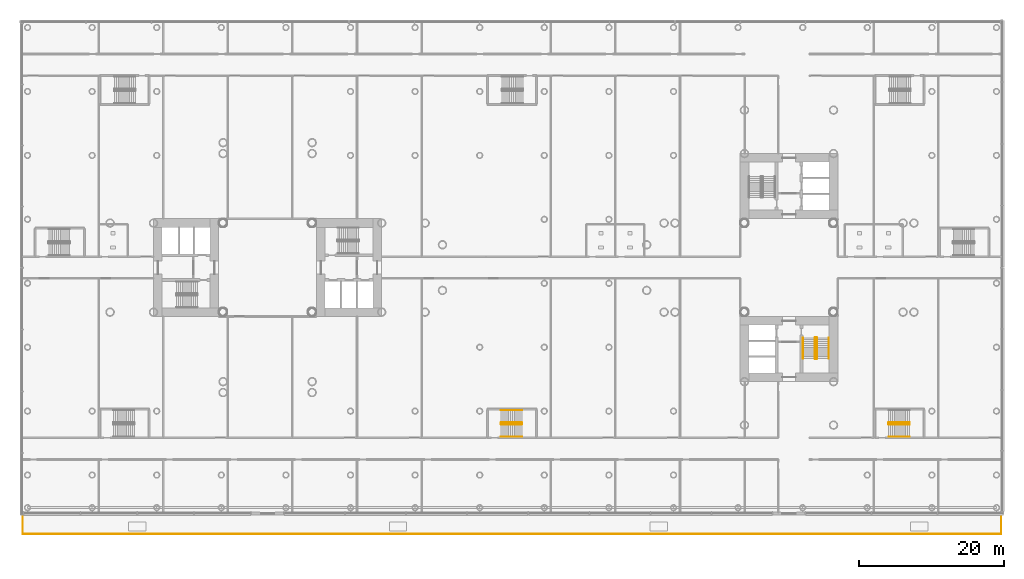
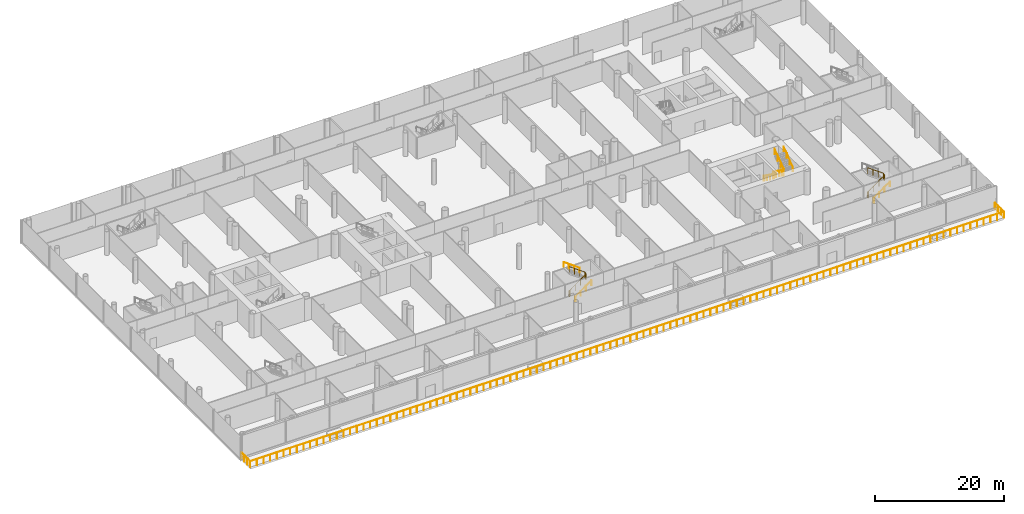
# One storey, part 49 of 51: 9 railings.
"""IFC4 building model written with IfcOpenShell, lengths in metres."""

from ifc_helpers import new_model, si_unit, direction, frame, origin, origin_2d, place, context, subcontext, project, spatial, circle, extrude, material, type_object, element, save


model = new_model("IFC4")

# Units and contexts
model_context = context("Model", 3, precision=1e-05, world=origin(), true_north=direction((0.0, 1.0)))
body_context = subcontext(model_context, "Body", "Model", "MODEL_VIEW")
ifc_project = project(units=[si_unit("LENGTHUNIT", "METRE"), si_unit("AREAUNIT", "SQUARE_METRE"), si_unit("VOLUMEUNIT", "CUBIC_METRE"), si_unit("PLANEANGLEUNIT", "RADIAN"), si_unit("MASSUNIT", "GRAM", prefix="KILO")], contexts=[model_context])

# Site, building, storey
site_placement = place(None, origin())
site = spatial("IfcSite", under=ifc_project, at=site_placement, CompositionType="ELEMENT")
building_placement = place(site_placement, origin())
building = spatial("IfcBuilding", under=site, at=building_placement, Name="Ipe Terrace Towers", CompositionType="ELEMENT")
storey_placement = place(building_placement, frame((0.0, 0.0, 15.5)))
storey = spatial("IfcBuildingStorey", under=building, at=storey_placement, Name="L03", CompositionType="ELEMENT", Elevation=15.5)

# Railings
ifc_material_1 = material(Name="Stainless steel S316", Category="steel")
railing_type_1 = type_object("IfcRailingType", Name="ROOF GUARD 1200", PredefinedType="BALUSTRADE", material=ifc_material_1)
railing_1_placement = place(storey_placement, frame((65.300048828125, -34.070068359375, -0.02001953125)))
element("IfcRailing", 1, at=railing_1_placement, inside=storey, type_object=railing_type_1, Name="roof guard", PredefinedType="BALUSTRADE", context=body_context, shape_type="SweptSolid", body=[
    extrude(circle(Radius=0.02392578125, at=origin_2d()), frame((0.0, 0.0, 1.17578125), z_axis=(0.0, -1.0, 0.0), x_axis=(1.0, 0.0, 0.0)), (0.0, 0.0, 1.0), 2.72998046875),
    extrude(circle(Radius=0.02392578125, at=origin_2d()), frame((0.0, -2.72998046875, 1.17578125), z_axis=(-1.0, 0.0, 0.0), x_axis=(0.0, -1.0, 0.0)), (0.0, 0.0, 1.0), 135.10009765625),
    extrude(circle(Radius=0.02392578125, at=origin_2d()), frame((-135.10009765625, -2.72998046875, 1.17578125), z_axis=(0.0, 1.0, 0.0), x_axis=(-1.0, 0.0, 0.0)), (0.0, 0.0, 1.0), 2.72998046875),
    extrude(circle(Radius=0.02099609375, at=origin_2d()), origin(), (0.0, 0.0, 1.0), 1.15185546875),
    extrude(circle(Radius=0.02099609375, at=origin_2d()), frame((0.0, -0.909912109375, 0.0)), (0.0, 0.0, 1.0), 1.15185546875),
    extrude(circle(Radius=0.02099609375, at=origin_2d()), frame((0.0, -1.820068359375, 0.0)), (0.0, 0.0, 1.0), 1.15185546875),
    extrude(circle(Radius=0.02099609375, at=origin_2d()), frame((0.0, -2.72998046875, 0.0)), (0.0, 0.0, 1.0), 1.15185546875),
    extrude(circle(Radius=0.02099609375, at=origin_2d()), frame((-1.195556640625, -2.72998046875, 0.0)), (0.0, 0.0, 1.0), 1.15185546875),
    extrude(circle(Radius=0.02099609375, at=origin_2d()), frame((-2.39111328125, -2.72998046875, 0.0)), (0.0, 0.0, 1.0), 1.15185546875),
    extrude(circle(Radius=0.02099609375, at=origin_2d()), frame((-3.586669921875, -2.72998046875, 0.0)), (0.0, 0.0, 1.0), 1.15185546875),
    extrude(circle(Radius=0.02099609375, at=origin_2d()), frame((-4.7822265625, -2.72998046875, 0.0)), (0.0, 0.0, 1.0), 1.15185546875),
    extrude(circle(Radius=0.02099609375, at=origin_2d()), frame((-5.977783203125, -2.72998046875, 0.0)), (0.0, 0.0, 1.0), 1.15185546875),
    extrude(circle(Radius=0.02099609375, at=origin_2d()), frame((-7.17333984375, -2.72998046875, 0.0)), (0.0, 0.0, 1.0), 1.15185546875),
    extrude(circle(Radius=0.02099609375, at=origin_2d()), frame((-8.369140625, -2.72998046875, 0.0)), (0.0, 0.0, 1.0), 1.15185546875),
    extrude(circle(Radius=0.02099609375, at=origin_2d()), frame((-9.564697265625, -2.72998046875, 0.0)), (0.0, 0.0, 1.0), 1.15185546875),
    extrude(circle(Radius=0.02099609375, at=origin_2d()), frame((-10.76025390625, -2.72998046875, 0.0)), (0.0, 0.0, 1.0), 1.15185546875),
    extrude(circle(Radius=0.02099609375, at=origin_2d()), frame((-11.955810546875, -2.72998046875, 0.0)), (0.0, 0.0, 1.0), 1.15185546875),
    extrude(circle(Radius=0.02099609375, at=origin_2d()), frame((-13.1513671875, -2.72998046875, 0.0)), (0.0, 0.0, 1.0), 1.15185546875),
    extrude(circle(Radius=0.02099609375, at=origin_2d()), frame((-14.346923828125, -2.72998046875, 0.0)), (0.0, 0.0, 1.0), 1.15185546875),
    extrude(circle(Radius=0.02099609375, at=origin_2d()), frame((-15.54248046875, -2.72998046875, 0.0)), (0.0, 0.0, 1.0), 1.15185546875),
    extrude(circle(Radius=0.02099609375, at=origin_2d()), frame((-16.738037109375, -2.72998046875, 0.0)), (0.0, 0.0, 1.0), 1.15185546875),
    extrude(circle(Radius=0.02099609375, at=origin_2d()), frame((-17.93359375, -2.72998046875, 0.0)), (0.0, 0.0, 1.0), 1.15185546875),
    extrude(circle(Radius=0.02099609375, at=origin_2d()), frame((-19.129150390625, -2.72998046875, 0.0)), (0.0, 0.0, 1.0), 1.15185546875),
    extrude(circle(Radius=0.02099609375, at=origin_2d()), frame((-20.32470703125, -2.72998046875, 0.0)), (0.0, 0.0, 1.0), 1.15185546875),
    extrude(circle(Radius=0.02099609375, at=origin_2d()), frame((-21.520263671875, -2.72998046875, 0.0)), (0.0, 0.0, 1.0), 1.15185546875),
    extrude(circle(Radius=0.02099609375, at=origin_2d()), frame((-22.716064453125, -2.72998046875, 0.0)), (0.0, 0.0, 1.0), 1.15185546875),
    extrude(circle(Radius=0.02099609375, at=origin_2d()), frame((-23.91162109375, -2.72998046875, 0.0)), (0.0, 0.0, 1.0), 1.15185546875),
    extrude(circle(Radius=0.02099609375, at=origin_2d()), frame((-25.107177734375, -2.72998046875, 0.0)), (0.0, 0.0, 1.0), 1.15185546875),
    extrude(circle(Radius=0.02099609375, at=origin_2d()), frame((-26.302734375, -2.72998046875, 0.0)), (0.0, 0.0, 1.0), 1.15185546875),
    extrude(circle(Radius=0.02099609375, at=origin_2d()), frame((-27.498291015625, -2.72998046875, 0.0)), (0.0, 0.0, 1.0), 1.15185546875),
    extrude(circle(Radius=0.02099609375, at=origin_2d()), frame((-28.69384765625, -2.72998046875, 0.0)), (0.0, 0.0, 1.0), 1.15185546875),
    extrude(circle(Radius=0.02099609375, at=origin_2d()), frame((-29.889404296875, -2.72998046875, 0.0)), (0.0, 0.0, 1.0), 1.15185546875),
    extrude(circle(Radius=0.02099609375, at=origin_2d()), frame((-31.0849609375, -2.72998046875, 0.0)), (0.0, 0.0, 1.0), 1.15185546875),
    extrude(circle(Radius=0.02099609375, at=origin_2d()), frame((-32.280517578125, -2.72998046875, 0.0)), (0.0, 0.0, 1.0), 1.15185546875),
    extrude(circle(Radius=0.02099609375, at=origin_2d()), frame((-33.47607421875, -2.72998046875, 0.0)), (0.0, 0.0, 1.0), 1.15185546875),
    extrude(circle(Radius=0.02099609375, at=origin_2d()), frame((-34.671630859375, -2.72998046875, 0.0)), (0.0, 0.0, 1.0), 1.15185546875),
    extrude(circle(Radius=0.02099609375, at=origin_2d()), frame((-35.8671875, -2.72998046875, 0.0)), (0.0, 0.0, 1.0), 1.15185546875),
    extrude(circle(Radius=0.02099609375, at=origin_2d()), frame((-37.062744140625, -2.72998046875, 0.0)), (0.0, 0.0, 1.0), 1.15185546875),
    extrude(circle(Radius=0.02099609375, at=origin_2d()), frame((-38.258544921875, -2.72998046875, 0.0)), (0.0, 0.0, 1.0), 1.15185546875),
    extrude(circle(Radius=0.02099609375, at=origin_2d()), frame((-39.4541015625, -2.72998046875, 0.0)), (0.0, 0.0, 1.0), 1.15185546875),
    extrude(circle(Radius=0.02099609375, at=origin_2d()), frame((-40.649658203125, -2.72998046875, 0.0)), (0.0, 0.0, 1.0), 1.15185546875),
    extrude(circle(Radius=0.02099609375, at=origin_2d()), frame((-41.84521484375, -2.72998046875, 0.0)), (0.0, 0.0, 1.0), 1.15185546875),
    extrude(circle(Radius=0.02099609375, at=origin_2d()), frame((-43.040771484375, -2.72998046875, 0.0)), (0.0, 0.0, 1.0), 1.15185546875),
    extrude(circle(Radius=0.02099609375, at=origin_2d()), frame((-44.236328125, -2.72998046875, 0.0)), (0.0, 0.0, 1.0), 1.15185546875),
    extrude(circle(Radius=0.02099609375, at=origin_2d()), frame((-45.431884765625, -2.72998046875, 0.0)), (0.0, 0.0, 1.0), 1.15185546875),
    extrude(circle(Radius=0.02099609375, at=origin_2d()), frame((-46.62744140625, -2.72998046875, 0.0)), (0.0, 0.0, 1.0), 1.15185546875),
    extrude(circle(Radius=0.02099609375, at=origin_2d()), frame((-47.822998046875, -2.72998046875, 0.0)), (0.0, 0.0, 1.0), 1.15185546875),
    extrude(circle(Radius=0.02099609375, at=origin_2d()), frame((-49.0185546875, -2.72998046875, 0.0)), (0.0, 0.0, 1.0), 1.15185546875),
    extrude(circle(Radius=0.02099609375, at=origin_2d()), frame((-50.214111328125, -2.72998046875, 0.0)), (0.0, 0.0, 1.0), 1.15185546875),
    extrude(circle(Radius=0.02099609375, at=origin_2d()), frame((-51.40966796875, -2.72998046875, 0.0)), (0.0, 0.0, 1.0), 1.15185546875),
    extrude(circle(Radius=0.02099609375, at=origin_2d()), frame((-52.60546875, -2.72998046875, 0.0)), (0.0, 0.0, 1.0), 1.15185546875),
    extrude(circle(Radius=0.02099609375, at=origin_2d()), frame((-53.801025390625, -2.72998046875, 0.0)), (0.0, 0.0, 1.0), 1.15185546875),
    extrude(circle(Radius=0.02099609375, at=origin_2d()), frame((-54.99658203125, -2.72998046875, 0.0)), (0.0, 0.0, 1.0), 1.15185546875),
    extrude(circle(Radius=0.02099609375, at=origin_2d()), frame((-56.192138671875, -2.72998046875, 0.0)), (0.0, 0.0, 1.0), 1.15185546875),
    extrude(circle(Radius=0.02099609375, at=origin_2d()), frame((-57.3876953125, -2.72998046875, 0.0)), (0.0, 0.0, 1.0), 1.15185546875),
    extrude(circle(Radius=0.02099609375, at=origin_2d()), frame((-58.583251953125, -2.72998046875, 0.0)), (0.0, 0.0, 1.0), 1.15185546875),
    extrude(circle(Radius=0.02099609375, at=origin_2d()), frame((-59.77880859375, -2.72998046875, 0.0)), (0.0, 0.0, 1.0), 1.15185546875),
    extrude(circle(Radius=0.02099609375, at=origin_2d()), frame((-60.974365234375, -2.72998046875, 0.0)), (0.0, 0.0, 1.0), 1.15185546875),
    extrude(circle(Radius=0.02099609375, at=origin_2d()), frame((-62.169921875, -2.72998046875, 0.0)), (0.0, 0.0, 1.0), 1.15185546875),
    extrude(circle(Radius=0.02099609375, at=origin_2d()), frame((-63.365478515625, -2.72998046875, 0.0)), (0.0, 0.0, 1.0), 1.15185546875),
    extrude(circle(Radius=0.02099609375, at=origin_2d()), frame((-64.56103515625, -2.72998046875, 0.0)), (0.0, 0.0, 1.0), 1.15185546875),
    extrude(circle(Radius=0.02099609375, at=origin_2d()), frame((-65.756591796875, -2.72998046875, 0.0)), (0.0, 0.0, 1.0), 1.15185546875),
    extrude(circle(Radius=0.02099609375, at=origin_2d()), frame((-66.9521484375, -2.72998046875, 0.0)), (0.0, 0.0, 1.0), 1.15185546875),
    extrude(circle(Radius=0.02099609375, at=origin_2d()), frame((-68.14794921875, -2.72998046875, 0.0)), (0.0, 0.0, 1.0), 1.15185546875),
    extrude(circle(Radius=0.02099609375, at=origin_2d()), frame((-69.343505859375, -2.72998046875, 0.0)), (0.0, 0.0, 1.0), 1.15185546875),
    extrude(circle(Radius=0.02099609375, at=origin_2d()), frame((-70.5390625, -2.72998046875, 0.0)), (0.0, 0.0, 1.0), 1.15185546875),
    extrude(circle(Radius=0.02099609375, at=origin_2d()), frame((-71.734619140625, -2.72998046875, 0.0)), (0.0, 0.0, 1.0), 1.15185546875),
    extrude(circle(Radius=0.02099609375, at=origin_2d()), frame((-72.93017578125, -2.72998046875, 0.0)), (0.0, 0.0, 1.0), 1.15185546875),
    extrude(circle(Radius=0.02099609375, at=origin_2d()), frame((-74.125732421875, -2.72998046875, 0.0)), (0.0, 0.0, 1.0), 1.15185546875),
    extrude(circle(Radius=0.02099609375, at=origin_2d()), frame((-75.3212890625, -2.72998046875, 0.0)), (0.0, 0.0, 1.0), 1.15185546875),
    extrude(circle(Radius=0.02099609375, at=origin_2d()), frame((-76.516845703125, -2.72998046875, 0.0)), (0.0, 0.0, 1.0), 1.15185546875),
    extrude(circle(Radius=0.02099609375, at=origin_2d()), frame((-77.71240234375, -2.72998046875, 0.0)), (0.0, 0.0, 1.0), 1.15185546875),
    extrude(circle(Radius=0.02099609375, at=origin_2d()), frame((-78.907958984375, -2.72998046875, 0.0)), (0.0, 0.0, 1.0), 1.15185546875),
    extrude(circle(Radius=0.02099609375, at=origin_2d()), frame((-80.103515625, -2.72998046875, 0.0)), (0.0, 0.0, 1.0), 1.15185546875),
    extrude(circle(Radius=0.02099609375, at=origin_2d()), frame((-81.299072265625, -2.72998046875, 0.0)), (0.0, 0.0, 1.0), 1.15185546875),
    extrude(circle(Radius=0.02099609375, at=origin_2d()), frame((-82.49462890625, -2.72998046875, 0.0)), (0.0, 0.0, 1.0), 1.15185546875),
    extrude(circle(Radius=0.02099609375, at=origin_2d()), frame((-83.6904296875, -2.72998046875, 0.0)), (0.0, 0.0, 1.0), 1.15185546875),
    extrude(circle(Radius=0.02099609375, at=origin_2d()), frame((-84.885986328125, -2.72998046875, 0.0)), (0.0, 0.0, 1.0), 1.15185546875),
    extrude(circle(Radius=0.02099609375, at=origin_2d()), frame((-86.08154296875, -2.72998046875, 0.0)), (0.0, 0.0, 1.0), 1.15185546875),
    extrude(circle(Radius=0.02099609375, at=origin_2d()), frame((-87.277099609375, -2.72998046875, 0.0)), (0.0, 0.0, 1.0), 1.15185546875),
    extrude(circle(Radius=0.02099609375, at=origin_2d()), frame((-88.47265625, -2.72998046875, 0.0)), (0.0, 0.0, 1.0), 1.15185546875),
    extrude(circle(Radius=0.02099609375, at=origin_2d()), frame((-89.668212890625, -2.72998046875, 0.0)), (0.0, 0.0, 1.0), 1.15185546875),
    extrude(circle(Radius=0.02099609375, at=origin_2d()), frame((-90.86376953125, -2.72998046875, 0.0)), (0.0, 0.0, 1.0), 1.15185546875),
    extrude(circle(Radius=0.02099609375, at=origin_2d()), frame((-92.059326171875, -2.72998046875, 0.0)), (0.0, 0.0, 1.0), 1.15185546875),
    extrude(circle(Radius=0.02099609375, at=origin_2d()), frame((-93.2548828125, -2.72998046875, 0.0)), (0.0, 0.0, 1.0), 1.15185546875),
    extrude(circle(Radius=0.02099609375, at=origin_2d()), frame((-94.450439453125, -2.72998046875, 0.0)), (0.0, 0.0, 1.0), 1.15185546875),
    extrude(circle(Radius=0.02099609375, at=origin_2d()), frame((-95.64599609375, -2.72998046875, 0.0)), (0.0, 0.0, 1.0), 1.15185546875),
    extrude(circle(Radius=0.02099609375, at=origin_2d()), frame((-96.841552734375, -2.72998046875, 0.0)), (0.0, 0.0, 1.0), 1.15185546875),
    extrude(circle(Radius=0.02099609375, at=origin_2d()), frame((-98.037353515625, -2.72998046875, 0.0)), (0.0, 0.0, 1.0), 1.15185546875),
    extrude(circle(Radius=0.02099609375, at=origin_2d()), frame((-99.23291015625, -2.72998046875, 0.0)), (0.0, 0.0, 1.0), 1.15185546875),
    extrude(circle(Radius=0.02099609375, at=origin_2d()), frame((-100.428466796875, -2.72998046875, 0.0)), (0.0, 0.0, 1.0), 1.15185546875),
    extrude(circle(Radius=0.02099609375, at=origin_2d()), frame((-101.6240234375, -2.72998046875, 0.0)), (0.0, 0.0, 1.0), 1.15185546875),
    extrude(circle(Radius=0.02099609375, at=origin_2d()), frame((-102.819580078125, -2.72998046875, 0.0)), (0.0, 0.0, 1.0), 1.15185546875),
    extrude(circle(Radius=0.02099609375, at=origin_2d()), frame((-104.01513671875, -2.72998046875, 0.0)), (0.0, 0.0, 1.0), 1.15185546875),
    extrude(circle(Radius=0.02099609375, at=origin_2d()), frame((-105.210693359375, -2.72998046875, 0.0)), (0.0, 0.0, 1.0), 1.15185546875),
    extrude(circle(Radius=0.02099609375, at=origin_2d()), frame((-106.40625, -2.72998046875, 0.0)), (0.0, 0.0, 1.0), 1.15185546875),
    extrude(circle(Radius=0.02099609375, at=origin_2d()), frame((-107.601806640625, -2.72998046875, 0.0)), (0.0, 0.0, 1.0), 1.15185546875),
    extrude(circle(Radius=0.02099609375, at=origin_2d()), frame((-108.79736328125, -2.72998046875, 0.0)), (0.0, 0.0, 1.0), 1.15185546875),
    extrude(circle(Radius=0.02099609375, at=origin_2d()), frame((-109.992919921875, -2.72998046875, 0.0)), (0.0, 0.0, 1.0), 1.15185546875),
    extrude(circle(Radius=0.02099609375, at=origin_2d()), frame((-111.1884765625, -2.72998046875, 0.0)), (0.0, 0.0, 1.0), 1.15185546875),
    extrude(circle(Radius=0.02099609375, at=origin_2d()), frame((-112.384033203125, -2.72998046875, 0.0)), (0.0, 0.0, 1.0), 1.15185546875),
    extrude(circle(Radius=0.02099609375, at=origin_2d()), frame((-113.579833984375, -2.72998046875, 0.0)), (0.0, 0.0, 1.0), 1.15185546875),
    extrude(circle(Radius=0.02099609375, at=origin_2d()), frame((-114.775390625, -2.72998046875, 0.0)), (0.0, 0.0, 1.0), 1.15185546875),
    extrude(circle(Radius=0.02099609375, at=origin_2d()), frame((-115.970947265625, -2.72998046875, 0.0)), (0.0, 0.0, 1.0), 1.15185546875),
    extrude(circle(Radius=0.02099609375, at=origin_2d()), frame((-117.16650390625, -2.72998046875, 0.0)), (0.0, 0.0, 1.0), 1.15185546875),
    extrude(circle(Radius=0.02099609375, at=origin_2d()), frame((-118.362060546875, -2.72998046875, 0.0)), (0.0, 0.0, 1.0), 1.15185546875),
    extrude(circle(Radius=0.02099609375, at=origin_2d()), frame((-119.5576171875, -2.72998046875, 0.0)), (0.0, 0.0, 1.0), 1.15185546875),
    extrude(circle(Radius=0.02099609375, at=origin_2d()), frame((-120.753173828125, -2.72998046875, 0.0)), (0.0, 0.0, 1.0), 1.15185546875),
    extrude(circle(Radius=0.02099609375, at=origin_2d()), frame((-121.94873046875, -2.72998046875, 0.0)), (0.0, 0.0, 1.0), 1.15185546875),
    extrude(circle(Radius=0.02099609375, at=origin_2d()), frame((-123.144287109375, -2.72998046875, 0.0)), (0.0, 0.0, 1.0), 1.15185546875),
    extrude(circle(Radius=0.02099609375, at=origin_2d()), frame((-124.33984375, -2.72998046875, 0.0)), (0.0, 0.0, 1.0), 1.15185546875),
    extrude(circle(Radius=0.02099609375, at=origin_2d()), frame((-125.535400390625, -2.72998046875, 0.0)), (0.0, 0.0, 1.0), 1.15185546875),
    extrude(circle(Radius=0.02099609375, at=origin_2d()), frame((-126.73095703125, -2.72998046875, 0.0)), (0.0, 0.0, 1.0), 1.15185546875),
    extrude(circle(Radius=0.02099609375, at=origin_2d()), frame((-127.9267578125, -2.72998046875, 0.0)), (0.0, 0.0, 1.0), 1.15185546875),
    extrude(circle(Radius=0.02099609375, at=origin_2d()), frame((-129.122314453125, -2.72998046875, 0.0)), (0.0, 0.0, 1.0), 1.15185546875),
    extrude(circle(Radius=0.02099609375, at=origin_2d()), frame((-130.31787109375, -2.72998046875, 0.0)), (0.0, 0.0, 1.0), 1.15185546875),
    extrude(circle(Radius=0.02099609375, at=origin_2d()), frame((-131.513427734375, -2.72998046875, 0.0)), (0.0, 0.0, 1.0), 1.15185546875),
    extrude(circle(Radius=0.02099609375, at=origin_2d()), frame((-132.708984375, -2.72998046875, 0.0)), (0.0, 0.0, 1.0), 1.15185546875),
    extrude(circle(Radius=0.02099609375, at=origin_2d()), frame((-133.904541015625, -2.72998046875, 0.0)), (0.0, 0.0, 1.0), 1.15185546875),
    extrude(circle(Radius=0.02099609375, at=origin_2d()), frame((-135.10009765625, -2.72998046875, 0.0)), (0.0, 0.0, 1.0), 1.15185546875),
    extrude(circle(Radius=0.02099609375, at=origin_2d()), frame((-135.10009765625, -1.820068359375, 0.0)), (0.0, 0.0, 1.0), 1.15185546875),
    extrude(circle(Radius=0.02099609375, at=origin_2d()), frame((-135.10009765625, -0.909912109375, 0.0)), (0.0, 0.0, 1.0), 1.15185546875),
    extrude(circle(Radius=0.02099609375, at=origin_2d()), frame((-135.10009765625, 0.0, 0.0)), (0.0, 0.0, 1.0), 1.15185546875),
])
ifc_material_2 = material(Name="Steel S355", Category="steel")
railing_type_2 = type_object("IfcRailingType", Name="Stair guard 1100", PredefinedType="GUARDRAIL", material=ifc_material_2)
railing_2_placement = place(storey_placement, frame((39.800048828125, -9.64990234375, 0.0)))
element("IfcRailing", 2, at=railing_2_placement, inside=storey, type_object=railing_type_2, Name="L03 T2-ST2 stair guard 1", PredefinedType="GUARDRAIL", context=body_context, shape_type="SweptSolid", body=[
    extrude(circle(Radius=0.02392578125, at=origin_2d()), frame((0.0, 0.0, 1.076171875), z_axis=(-1.0, 0.0, 0.0), x_axis=(0.0, -1.0, 0.0)), (0.0, 0.0, 1.0), 0.150146484375),
    extrude(circle(Radius=0.02392578125, at=origin_2d()), frame((-0.150146484375, 0.0, 1.076171875), z_axis=(-0.248583702486, -0.249802250048, 0.935844527007), x_axis=(0.708833529934, -0.705375805398, 0.0)), (0.0, 0.0, 1.0), 0.200439453125),
    extrude(circle(Radius=0.02392578125, at=origin_2d()), frame((-0.199951171875, -0.050048828125, 1.263671875), z_axis=(0.0, -0.811100754333, 0.584906459462), x_axis=(1.0, 0.0, 0.0)), (0.0, 0.0, 1.0), 3.526123046875),
    extrude(circle(Radius=0.02392578125, at=origin_2d()), frame((-0.199951171875, -2.91015625, 3.326171875), z_axis=(0.705375805398, -0.708833529934, 0.0), x_axis=(0.708833529934, 0.705375805398, 0.0)), (0.0, 0.0, 1.0), 0.070556640625),
    extrude(circle(Radius=0.02392578125, at=origin_2d()), frame((-0.150146484375, -2.960205078125, 3.326171875), z_axis=(1.0, 0.0, 0.0), x_axis=(0.0, 1.0, 0.0)), (0.0, 0.0, 1.0), 0.150146484375),
    extrude(circle(Radius=0.02392578125, at=origin_2d()), frame((0.0, -2.960205078125, 3.326171875), z_axis=(0.249726431254, 0.249726431254, 0.935560483917), x_axis=(-0.707106781187, 0.707106781187, 0.0)), (0.0, 0.0, 1.0), 0.200439453125),
    extrude(circle(Radius=0.02392578125, at=origin_2d()), frame((0.050048828125, -2.91015625, 3.513671875), z_axis=(0.0, 0.811100754333, 0.584906459462), x_axis=(-1.0, 0.0, 0.0)), (0.0, 0.0, 1.0), 3.526123046875),
    extrude(circle(Radius=0.02099609375, at=origin_2d()), origin(), (0.0, 0.0, 1.0), 1.052001953125),
    extrude(circle(Radius=0.02099609375, at=origin_2d()), frame((-0.150146484375, 0.0, 0.0)), (0.0, 0.0, 1.0), 1.052001953125),
    extrude(circle(Radius=0.02099609375, at=origin_2d()), frame((-0.199951171875, -0.050048828125, 0.1875)), (0.0, 0.0, 1.0), 1.052001953125),
    extrude(circle(Radius=0.02099609375, at=origin_2d()), frame((-0.199951171875, -1.00341796875, 0.875)), (0.0, 0.0, 1.0), 1.052001953125),
    extrude(circle(Radius=0.02099609375, at=origin_2d()), frame((-0.199951171875, -1.956787109375, 1.5625)), (0.0, 0.0, 1.0), 1.052001953125),
    extrude(circle(Radius=0.02099609375, at=origin_2d()), frame((-0.199951171875, -2.91015625, 2.25)), (0.0, 0.0, 1.0), 1.052001953125),
    extrude(circle(Radius=0.02099609375, at=origin_2d()), frame((-0.150146484375, -2.960205078125, 2.25)), (0.0, 0.0, 1.0), 1.052001953125),
    extrude(circle(Radius=0.02099609375, at=origin_2d()), frame((0.0, -2.960205078125, 2.25)), (0.0, 0.0, 1.0), 1.052001953125),
    extrude(circle(Radius=0.02099609375, at=origin_2d()), frame((0.050048828125, -2.91015625, 2.4375)), (0.0, 0.0, 1.0), 1.052001953125),
    extrude(circle(Radius=0.02099609375, at=origin_2d()), frame((0.050048828125, -1.956787109375, 3.125)), (0.0, 0.0, 1.0), 1.052001953125),
    extrude(circle(Radius=0.02099609375, at=origin_2d()), frame((0.050048828125, -1.00341796875, 3.8125)), (0.0, 0.0, 1.0), 1.052001953125),
    extrude(circle(Radius=0.02099609375, at=origin_2d()), frame((0.050048828125, -0.050048828125, 4.5)), (0.0, 0.0, 1.0), 1.052001953125),
])
railing_3_placement = place(storey_placement, frame((-3.800048828125, -21.449951171875, 0.0)))
element("IfcRailing", 3, at=railing_3_placement, inside=storey, type_object=railing_type_2, Name="L03 PS5 stair guard 1", PredefinedType="GUARDRAIL", context=body_context, shape_type="SweptSolid", body=[
    extrude(circle(Radius=0.02392578125, at=origin_2d()), frame((0.0, 0.0, 1.076171875), z_axis=(0.0, -1.0, 0.0), x_axis=(1.0, 0.0, 0.0)), (0.0, 0.0, 1.0), 0.150146484375),
    extrude(circle(Radius=0.02392578125, at=origin_2d()), frame((0.0, -0.150146484375, 1.076171875), z_axis=(0.249802250048, -0.248583702486, 0.935844527007), x_axis=(0.705375805398, 0.708833529934, 0.0)), (0.0, 0.0, 1.0), 0.200439453125),
    extrude(circle(Radius=0.02392578125, at=origin_2d()), frame((0.050048828125, -0.199951171875, 1.263671875), z_axis=(0.811100754333, 0.0, 0.584906459462), x_axis=(0.0, 1.0, 0.0)), (0.0, 0.0, 1.0), 3.526123046875),
    extrude(circle(Radius=0.02392578125, at=origin_2d()), frame((2.91015625, -0.199951171875, 3.326171875), z_axis=(0.707106781187, 0.707106781187, 0.0), x_axis=(-0.707106781187, 0.707106781187, 0.0)), (0.0, 0.0, 1.0), 0.0703125),
    extrude(circle(Radius=0.02392578125, at=origin_2d()), frame((2.9599609375, -0.150146484375, 3.326171875), z_axis=(0.0, 1.0, 0.0), x_axis=(-1.0, 0.0, 0.0)), (0.0, 0.0, 1.0), 0.150146484375),
    extrude(circle(Radius=0.02392578125, at=origin_2d()), frame((2.9599609375, 0.0, 3.326171875), z_axis=(-0.248583702486, 0.249802250048, 0.935844527007), x_axis=(-0.708833529934, -0.705375805398, 0.0)), (0.0, 0.0, 1.0), 0.200439453125),
    extrude(circle(Radius=0.02392578125, at=origin_2d()), frame((2.91015625, 0.050048828125, 3.513671875), z_axis=(-0.811100754333, 0.0, 0.584906459462), x_axis=(0.0, -1.0, 0.0)), (0.0, 0.0, 1.0), 3.526123046875),
    extrude(circle(Radius=0.02099609375, at=origin_2d()), origin(), (0.0, 0.0, 1.0), 1.052001953125),
    extrude(circle(Radius=0.02099609375, at=origin_2d()), frame((0.0, -0.150146484375, 0.0)), (0.0, 0.0, 1.0), 1.052001953125),
    extrude(circle(Radius=0.02099609375, at=origin_2d()), frame((0.050048828125, -0.199951171875, 0.1875)), (0.0, 0.0, 1.0), 1.052001953125),
    extrude(circle(Radius=0.02099609375, at=origin_2d()), frame((1.00341796875, -0.199951171875, 0.875)), (0.0, 0.0, 1.0), 1.052001953125),
    extrude(circle(Radius=0.02099609375, at=origin_2d()), frame((1.956787109375, -0.199951171875, 1.5625)), (0.0, 0.0, 1.0), 1.052001953125),
    extrude(circle(Radius=0.02099609375, at=origin_2d()), frame((2.91015625, -0.199951171875, 2.25)), (0.0, 0.0, 1.0), 1.052001953125),
    extrude(circle(Radius=0.02099609375, at=origin_2d()), frame((2.9599609375, -0.150146484375, 2.25)), (0.0, 0.0, 1.0), 1.052001953125),
    extrude(circle(Radius=0.02099609375, at=origin_2d()), frame((2.9599609375, 0.0, 2.25)), (0.0, 0.0, 1.0), 1.052001953125),
    extrude(circle(Radius=0.02099609375, at=origin_2d()), frame((2.91015625, 0.050048828125, 2.4375)), (0.0, 0.0, 1.0), 1.052001953125),
    extrude(circle(Radius=0.02099609375, at=origin_2d()), frame((1.956787109375, 0.050048828125, 3.125)), (0.0, 0.0, 1.0), 1.052001953125),
    extrude(circle(Radius=0.02099609375, at=origin_2d()), frame((1.00341796875, 0.050048828125, 3.8125)), (0.0, 0.0, 1.0), 1.052001953125),
    extrude(circle(Radius=0.02099609375, at=origin_2d()), frame((0.050048828125, 0.050048828125, 4.5)), (0.0, 0.0, 1.0), 1.052001953125),
])
railing_4_placement = place(storey_placement, frame((49.719970703125, -21.449951171875, 0.0)))
element("IfcRailing", 4, at=railing_4_placement, inside=storey, type_object=railing_type_2, Name="L03 PS6 stair guard 1", PredefinedType="GUARDRAIL", context=body_context, shape_type="SweptSolid", body=[
    extrude(circle(Radius=0.02392578125, at=origin_2d()), frame((0.0, 0.0, 1.076171875), z_axis=(0.0, -1.0, 0.0), x_axis=(1.0, 0.0, 0.0)), (0.0, 0.0, 1.0), 0.150146484375),
    extrude(circle(Radius=0.02392578125, at=origin_2d()), frame((0.0, -0.150146484375, 1.076171875), z_axis=(0.249802250048, -0.248583702486, 0.935844527007), x_axis=(0.705375805398, 0.708833529934, 0.0)), (0.0, 0.0, 1.0), 0.200439453125),
    extrude(circle(Radius=0.02392578125, at=origin_2d()), frame((0.050048828125, -0.199951171875, 1.263671875), z_axis=(0.811077065594, 0.0, 0.584939307678), x_axis=(0.0, 1.0, 0.0)), (0.0, 0.0, 1.0), 3.526123046875),
    extrude(circle(Radius=0.02392578125, at=origin_2d()), frame((2.909912109375, -0.199951171875, 3.326171875), z_axis=(0.708833529934, 0.705375805398, 0.0), x_axis=(-0.705375805398, 0.708833529934, 0.0)), (0.0, 0.0, 1.0), 0.070556640625),
    extrude(circle(Radius=0.02392578125, at=origin_2d()), frame((2.9599609375, -0.150146484375, 3.326171875), z_axis=(0.0, 1.0, 0.0), x_axis=(-1.0, 0.0, 0.0)), (0.0, 0.0, 1.0), 0.150146484375),
    extrude(circle(Radius=0.02392578125, at=origin_2d()), frame((2.9599609375, 0.0, 3.326171875), z_axis=(-0.249726431254, 0.249726431254, 0.935560483917), x_axis=(-0.707106781187, -0.707106781187, 0.0)), (0.0, 0.0, 1.0), 0.200439453125),
    extrude(circle(Radius=0.02392578125, at=origin_2d()), frame((2.909912109375, 0.050048828125, 3.513671875), z_axis=(-0.811077065594, 0.0, 0.584939307678), x_axis=(0.0, -1.0, 0.0)), (0.0, 0.0, 1.0), 3.526123046875),
    extrude(circle(Radius=0.02099609375, at=origin_2d()), origin(), (0.0, 0.0, 1.0), 1.052001953125),
    extrude(circle(Radius=0.02099609375, at=origin_2d()), frame((0.0, -0.150146484375, 0.0)), (0.0, 0.0, 1.0), 1.052001953125),
    extrude(circle(Radius=0.02099609375, at=origin_2d()), frame((0.050048828125, -0.199951171875, 0.1875)), (0.0, 0.0, 1.0), 1.052001953125),
    extrude(circle(Radius=0.02099609375, at=origin_2d()), frame((1.00341796875, -0.199951171875, 0.875)), (0.0, 0.0, 1.0), 1.052001953125),
    extrude(circle(Radius=0.02099609375, at=origin_2d()), frame((1.95654296875, -0.199951171875, 1.5625)), (0.0, 0.0, 1.0), 1.052001953125),
    extrude(circle(Radius=0.02099609375, at=origin_2d()), frame((2.909912109375, -0.199951171875, 2.25)), (0.0, 0.0, 1.0), 1.052001953125),
    extrude(circle(Radius=0.02099609375, at=origin_2d()), frame((2.9599609375, -0.150146484375, 2.25)), (0.0, 0.0, 1.0), 1.052001953125),
    extrude(circle(Radius=0.02099609375, at=origin_2d()), frame((2.9599609375, 0.0, 2.25)), (0.0, 0.0, 1.0), 1.052001953125),
    extrude(circle(Radius=0.02099609375, at=origin_2d()), frame((2.909912109375, 0.050048828125, 2.4375)), (0.0, 0.0, 1.0), 1.052001953125),
    extrude(circle(Radius=0.02099609375, at=origin_2d()), frame((1.95654296875, 0.050048828125, 3.125)), (0.0, 0.0, 1.0), 1.052001953125),
    extrude(circle(Radius=0.02099609375, at=origin_2d()), frame((1.00341796875, 0.050048828125, 3.8125)), (0.0, 0.0, 1.0), 1.052001953125),
    extrude(circle(Radius=0.02099609375, at=origin_2d()), frame((0.050048828125, 0.050048828125, 4.5)), (0.0, 0.0, 1.0), 1.052001953125),
])
ifc_material_3 = material(Name="Stainless steel grade 304", Category="steel")
railing_type_3 = type_object("IfcRailingType", Name="Stair handrail 900", PredefinedType="HANDRAIL", material=ifc_material_3)
railing_5_placement = place(storey_placement, frame((37.949951171875, -9.699951171875, 0.1875)))
element("IfcRailing", 5, at=railing_5_placement, inside=storey, type_object=railing_type_3, Name="L03 T2-ST2 stair handrail 1", PredefinedType="HANDRAIL", context=body_context, shape_type="SweptSolid", body=[
    extrude(circle(Radius=0.02392578125, at=origin_2d()), frame((0.0, 0.0, 0.8759765625), z_axis=(0.0, -0.811100754333, 0.584906459462), x_axis=(1.0, 0.0, 0.0)), (0.0, 0.0, 1.0), 3.526123046875),
    extrude(circle(Radius=0.02099609375, at=origin_2d()), origin(), (0.0, 0.0, 1.0), 0.851806640625),
    extrude(circle(Radius=0.02099609375, at=origin_2d()), frame((0.0, -0.953369140625, 0.6875)), (0.0, 0.0, 1.0), 0.851806640625),
    extrude(circle(Radius=0.02099609375, at=origin_2d()), frame((0.0, -1.90673828125, 1.375)), (0.0, 0.0, 1.0), 0.851806640625),
    extrude(circle(Radius=0.02099609375, at=origin_2d()), frame((0.0, -2.860107421875, 2.0625)), (0.0, 0.0, 1.0), 0.851806640625),
])
railing_6_placement = place(storey_placement, frame((41.5, -12.56005859375, 2.4375)))
element("IfcRailing", 6, at=railing_6_placement, inside=storey, type_object=railing_type_3, Name="L03 T2-ST2 stair handrail 2", PredefinedType="HANDRAIL", context=body_context, shape_type="SweptSolid", body=[
    extrude(circle(Radius=0.02392578125, at=origin_2d()), frame((0.0, 0.0, 0.8759765625), z_axis=(0.0, 0.811100754333, 0.584906459462), x_axis=(-1.0, 0.0, 0.0)), (0.0, 0.0, 1.0), 3.526123046875),
    extrude(circle(Radius=0.02099609375, at=origin_2d()), origin(), (0.0, 0.0, 1.0), 0.851806640625),
    extrude(circle(Radius=0.02099609375, at=origin_2d()), frame((0.0, 0.953369140625, 0.6875)), (0.0, 0.0, 1.0), 0.851806640625),
    extrude(circle(Radius=0.02099609375, at=origin_2d()), frame((0.0, 1.90673828125, 1.375)), (0.0, 0.0, 1.0), 0.851806640625),
    extrude(circle(Radius=0.02099609375, at=origin_2d()), frame((0.0, 2.860107421875, 2.0625)), (0.0, 0.0, 1.0), 0.851806640625),
])
railing_7_placement = place(storey_placement, frame((-3.75, -23.35009765625, 0.1875)))
element("IfcRailing", 7, at=railing_7_placement, inside=storey, type_object=railing_type_3, Name="L03 PS5 stair handrail 1", PredefinedType="HANDRAIL", context=body_context, shape_type="SweptSolid", body=[
    extrude(circle(Radius=0.02392578125, at=origin_2d()), frame((0.0, 0.0, 0.8759765625), z_axis=(0.811100754333, 0.0, 0.584906459462), x_axis=(0.0, 1.0, 0.0)), (0.0, 0.0, 1.0), 3.526123046875),
    extrude(circle(Radius=0.02099609375, at=origin_2d()), origin(), (0.0, 0.0, 1.0), 0.851806640625),
    extrude(circle(Radius=0.02099609375, at=origin_2d()), frame((0.953369140625, 0.0, 0.6875)), (0.0, 0.0, 1.0), 0.851806640625),
    extrude(circle(Radius=0.02099609375, at=origin_2d()), frame((1.90673828125, 0.0, 1.375)), (0.0, 0.0, 1.0), 0.851806640625),
    extrude(circle(Radius=0.02099609375, at=origin_2d()), frame((2.860107421875, 0.0, 2.0625)), (0.0, 0.0, 1.0), 0.851806640625),
])
railing_8_placement = place(storey_placement, frame((-0.889892578125, -19.699951171875, 2.4375)))
element("IfcRailing", 8, at=railing_8_placement, inside=storey, type_object=railing_type_3, Name="L03 PS5 stair handrail 2", PredefinedType="HANDRAIL", context=body_context, shape_type="SweptSolid", body=[
    extrude(circle(Radius=0.02392578125, at=origin_2d()), frame((0.0, 0.0, 0.8759765625), z_axis=(-0.811100754333, 0.0, 0.584906459462), x_axis=(0.0, -1.0, 0.0)), (0.0, 0.0, 1.0), 3.526123046875),
    extrude(circle(Radius=0.02099609375, at=origin_2d()), origin(), (0.0, 0.0, 1.0), 0.851806640625),
    extrude(circle(Radius=0.02099609375, at=origin_2d()), frame((-0.953369140625, 0.0, 0.6875)), (0.0, 0.0, 1.0), 0.851806640625),
    extrude(circle(Radius=0.02099609375, at=origin_2d()), frame((-1.90673828125, 0.0, 1.375)), (0.0, 0.0, 1.0), 0.851806640625),
    extrude(circle(Radius=0.02099609375, at=origin_2d()), frame((-2.860107421875, 0.0, 2.0625)), (0.0, 0.0, 1.0), 0.851806640625),
])
railing_9_placement = place(storey_placement, frame((49.77001953125, -23.35009765625, 0.1875)))
element("IfcRailing", 9, at=railing_9_placement, inside=storey, type_object=railing_type_3, Name="L03 PS6 stair handrail 1", PredefinedType="HANDRAIL", context=body_context, shape_type="SweptSolid", body=[
    extrude(circle(Radius=0.02392578125, at=origin_2d()), frame((0.0, 0.0, 0.8759765625), z_axis=(0.811077065594, 0.0, 0.584939307678), x_axis=(0.0, 1.0, 0.0)), (0.0, 0.0, 1.0), 3.526123046875),
    extrude(circle(Radius=0.02099609375, at=origin_2d()), origin(), (0.0, 0.0, 1.0), 0.851806640625),
    extrude(circle(Radius=0.02099609375, at=origin_2d()), frame((0.953369140625, 0.0, 0.6875)), (0.0, 0.0, 1.0), 0.851806640625),
    extrude(circle(Radius=0.02099609375, at=origin_2d()), frame((1.906494140625, 0.0, 1.375)), (0.0, 0.0, 1.0), 0.851806640625),
    extrude(circle(Radius=0.02099609375, at=origin_2d()), frame((2.85986328125, 0.0, 2.0625)), (0.0, 0.0, 1.0), 0.851806640625),
])

save(model, "model.ifc")
